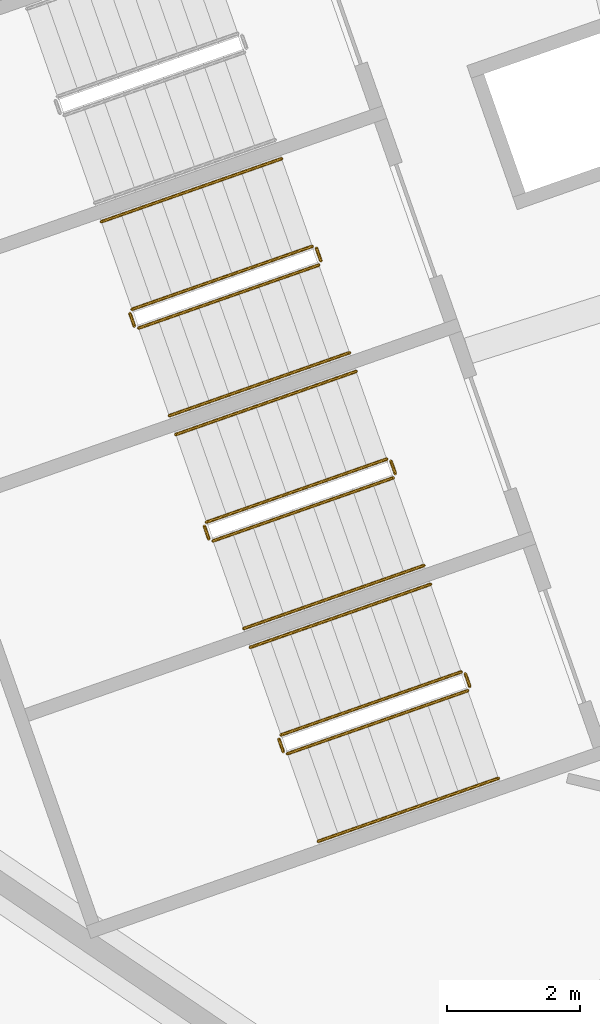
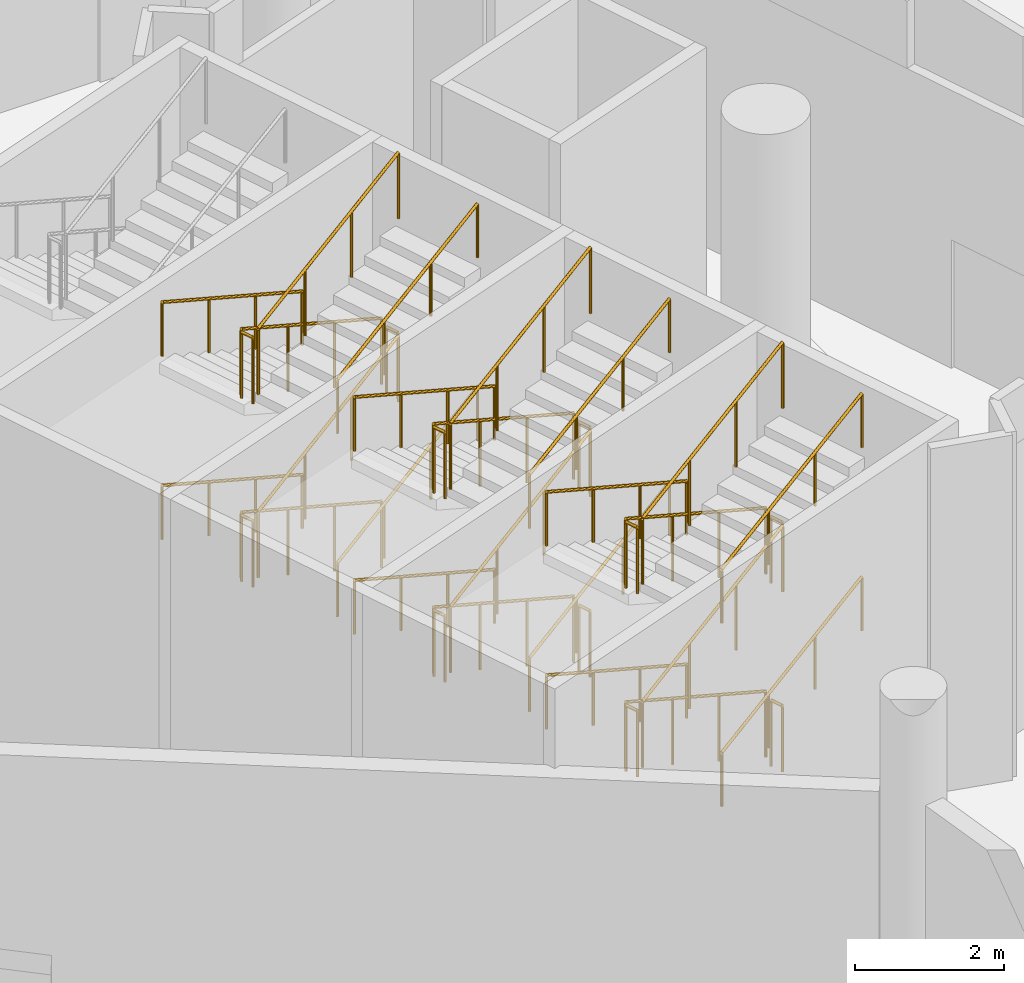
# One storey, part 201 of 249: 35 railings.
"""IFC4 building model written with IfcOpenShell, lengths in metres."""

from ifc_helpers import new_model, si_unit, direction, frame, origin, origin_2d, place, context, subcontext, project, spatial, circle, extrude, material, type_object, element, save


model = new_model("IFC4")

# Units and contexts
model_context = context("Model", 3, precision=1e-05, world=origin(), true_north=direction((0.0, 1.0)))
body_context = subcontext(model_context, "Body", "Model", "MODEL_VIEW")
ifc_project = project(units=[si_unit("LENGTHUNIT", "METRE"), si_unit("AREAUNIT", "SQUARE_METRE"), si_unit("VOLUMEUNIT", "CUBIC_METRE"), si_unit("PLANEANGLEUNIT", "RADIAN"), si_unit("MASSUNIT", "GRAM", prefix="KILO")], contexts=[model_context])

# Site, building, storey
site_placement = place(None, origin())
site = spatial("IfcSite", under=ifc_project, at=site_placement, CompositionType="ELEMENT")
building_placement = place(site_placement, origin())
building = spatial("IfcBuilding", under=site, at=building_placement, Name="Meseta Stadium", CompositionType="ELEMENT")
storey_placement = place(building_placement, frame((0.0, 0.0, 12.0)))
storey = spatial("IfcBuildingStorey", under=building, at=storey_placement, Name="L02", CompositionType="ELEMENT", Elevation=12.0)

# Railings
ifc_material_1 = material(Name="Steel S355", Category="steel")
railing_type_1 = type_object("IfcRailingType", Name="Stair guard 1100", PredefinedType="GUARDRAIL", material=ifc_material_1)
railing_1_placement = place(storey_placement, frame((-87.764404296875, -62.654052734375, 0.14990234375)))
element("IfcRailing", 1, at=railing_1_placement, inside=storey, type_object=railing_type_1, Name="ST78 L02 guard 1", PredefinedType="GUARDRAIL", context=body_context, shape_type="SweptSolid", body=[
    extrude(circle(Radius=0.02392578125, at=origin_2d()), frame((0.0, 0.0, 1.076171875), z_axis=(-0.854628651604, -0.299050945451, 0.424474262922), x_axis=(0.33028245302, -0.943882143717, 0.0)), (0.0, 0.0, 1.0), 3.1806640625),
    extrude(circle(Radius=0.02099609375, at=origin_2d()), origin(), (0.0, 0.0, 1.0), 1.052001953125),
    extrude(circle(Radius=0.02099609375, at=origin_2d()), frame((-0.906005859375, -0.317138671875, 0.449951171875)), (0.0, 0.0, 1.0), 1.052001953125),
    extrude(circle(Radius=0.02099609375, at=origin_2d()), frame((-1.812255859375, -0.634033203125, 0.900146484375)), (0.0, 0.0, 1.0), 1.052001953125),
    extrude(circle(Radius=0.02099609375, at=origin_2d()), frame((-2.71826171875, -0.951171875, 1.35009765625)), (0.0, 0.0, 1.0), 1.052001953125),
])
railing_2_placement = place(storey_placement, frame((-90.513427734375, -63.6689453125, 1.5)))
element("IfcRailing", 2, at=railing_2_placement, inside=storey, type_object=railing_type_1, Name="ST78 L02 guard 2", PredefinedType="GUARDRAIL", context=body_context, shape_type="SweptSolid", body=[
    extrude(circle(Radius=0.02392578125, at=origin_2d()), frame((0.0, 0.0, 1.076171875), z_axis=(0.330839792317, -0.943686935281, 0.0), x_axis=(0.943686935281, 0.330839792317, 0.0)), (0.0, 0.0, 1.0), 0.199951171875),
    extrude(circle(Radius=0.02099609375, at=origin_2d()), origin(), (0.0, 0.0, 1.0), 1.052001953125),
    extrude(circle(Radius=0.02099609375, at=origin_2d()), frame((0.066162109375, -0.188720703125, 0.0)), (0.0, 0.0, 1.0), 1.052001953125),
])
railing_3_placement = place(storey_placement, frame((-90.383544921875, -63.888427734375, 1.64990234375)))
element("IfcRailing", 3, at=railing_3_placement, inside=storey, type_object=railing_type_1, Name="ST78 L02 guard 3", PredefinedType="GUARDRAIL", context=body_context, shape_type="SweptSolid", body=[
    extrude(circle(Radius=0.02392578125, at=origin_2d()), frame((0.0, 0.0, 1.076171875), z_axis=(0.854628651604, 0.299050945451, 0.424474262922), x_axis=(-0.33028245302, 0.943882143717, 0.0)), (0.0, 0.0, 1.0), 3.1806640625),
    extrude(circle(Radius=0.02099609375, at=origin_2d()), origin(), (0.0, 0.0, 1.0), 1.052001953125),
    extrude(circle(Radius=0.02099609375, at=origin_2d()), frame((0.906005859375, 0.317138671875, 0.449951171875)), (0.0, 0.0, 1.0), 1.052001953125),
    extrude(circle(Radius=0.02099609375, at=origin_2d()), frame((1.812255859375, 0.634033203125, 0.900146484375)), (0.0, 0.0, 1.0), 1.052001953125),
    extrude(circle(Radius=0.02099609375, at=origin_2d()), frame((2.71826171875, 0.951171875, 1.35009765625)), (0.0, 0.0, 1.0), 1.052001953125),
])
railing_4_placement = place(storey_placement, frame((-87.70068359375, -62.6845703125, 3.0)))
element("IfcRailing", 4, at=railing_4_placement, inside=storey, type_object=railing_type_1, Name="ST78 L02 guard 4", PredefinedType="GUARDRAIL", context=body_context, shape_type="SweptSolid", body=[
    extrude(circle(Radius=0.02392578125, at=origin_2d()), frame((0.0, 0.0, 1.076171875), z_axis=(0.330459055601, -0.943820328543, 0.0), x_axis=(0.943820328543, 0.330459055601, 0.0)), (0.0, 0.0, 1.0), 0.2001953125),
    extrude(circle(Radius=0.02099609375, at=origin_2d()), origin(), (0.0, 0.0, 1.0), 1.052001953125),
    extrude(circle(Radius=0.02099609375, at=origin_2d()), frame((0.066162109375, -0.18896484375, 0.0)), (0.0, 0.0, 1.0), 1.052001953125),
])
railing_5_placement = place(storey_placement, frame((-87.764404296875, -62.654052734375, 3.14990234375)))
element("IfcRailing", 5, at=railing_5_placement, inside=storey, type_object=railing_type_1, Name="ST78 L02 guard 5", PredefinedType="GUARDRAIL", context=body_context, shape_type="SweptSolid", body=[
    extrude(circle(Radius=0.02392578125, at=origin_2d()), frame((0.0, 0.0, 1.076171875), z_axis=(-0.854628651604, -0.299050945451, 0.424474262922), x_axis=(0.33028245302, -0.943882143717, 0.0)), (0.0, 0.0, 1.0), 3.1806640625),
    extrude(circle(Radius=0.02099609375, at=origin_2d()), origin(), (0.0, 0.0, 1.0), 1.052001953125),
    extrude(circle(Radius=0.02099609375, at=origin_2d()), frame((-0.906005859375, -0.317138671875, 0.449951171875)), (0.0, 0.0, 1.0), 1.052001953125),
    extrude(circle(Radius=0.02099609375, at=origin_2d()), frame((-1.812255859375, -0.634033203125, 0.900146484375)), (0.0, 0.0, 1.0), 1.052001953125),
    extrude(circle(Radius=0.02099609375, at=origin_2d()), frame((-2.71826171875, -0.951171875, 1.35009765625)), (0.0, 0.0, 1.0), 1.052001953125),
])
railing_6_placement = place(storey_placement, frame((-90.513427734375, -63.6689453125, 4.5)))
element("IfcRailing", 6, at=railing_6_placement, inside=storey, type_object=railing_type_1, Name="ST78 L02 guard 6", PredefinedType="GUARDRAIL", context=body_context, shape_type="SweptSolid", body=[
    extrude(circle(Radius=0.02392578125, at=origin_2d()), frame((0.0, 0.0, 1.076171875), z_axis=(0.330839792317, -0.943686935281, 0.0), x_axis=(0.943686935281, 0.330839792317, 0.0)), (0.0, 0.0, 1.0), 0.199951171875),
    extrude(circle(Radius=0.02099609375, at=origin_2d()), origin(), (0.0, 0.0, 1.0), 1.052001953125),
    extrude(circle(Radius=0.02099609375, at=origin_2d()), frame((0.066162109375, -0.188720703125, 0.0)), (0.0, 0.0, 1.0), 1.052001953125),
])
railing_7_placement = place(storey_placement, frame((-90.383544921875, -63.888427734375, 4.64990234375)))
element("IfcRailing", 7, at=railing_7_placement, inside=storey, type_object=railing_type_1, Name="ST78 L02 guard 7", PredefinedType="GUARDRAIL", context=body_context, shape_type="SweptSolid", body=[
    extrude(circle(Radius=0.02392578125, at=origin_2d()), frame((0.0, 0.0, 1.076171875), z_axis=(0.854628651604, 0.299050945451, 0.424474262922), x_axis=(-0.33028245302, 0.943882143717, 0.0)), (0.0, 0.0, 1.0), 3.1806640625),
    extrude(circle(Radius=0.02099609375, at=origin_2d()), origin(), (0.0, 0.0, 1.0), 1.052001953125),
    extrude(circle(Radius=0.02099609375, at=origin_2d()), frame((0.906005859375, 0.317138671875, 0.449951171875)), (0.0, 0.0, 1.0), 1.052001953125),
    extrude(circle(Radius=0.02099609375, at=origin_2d()), frame((1.812255859375, 0.634033203125, 0.900146484375)), (0.0, 0.0, 1.0), 1.052001953125),
    extrude(circle(Radius=0.02099609375, at=origin_2d()), frame((2.71826171875, 0.951171875, 1.35009765625)), (0.0, 0.0, 1.0), 1.052001953125),
])
railing_8_placement = place(storey_placement, frame((-86.641357421875, -65.86328125, 0.14990234375)))
element("IfcRailing", 8, at=railing_8_placement, inside=storey, type_object=railing_type_1, Name="ST79 L02 guard 1", PredefinedType="GUARDRAIL", context=body_context, shape_type="SweptSolid", body=[
    extrude(circle(Radius=0.02392578125, at=origin_2d()), frame((0.0, 0.0, 1.076171875), z_axis=(-0.854649344405, -0.299031328765, 0.42444641891), x_axis=(0.330256026668, -0.943891390388, 0.0)), (0.0, 0.0, 1.0), 3.180908203125),
    extrude(circle(Radius=0.02099609375, at=origin_2d()), origin(), (0.0, 0.0, 1.0), 1.052001953125),
    extrude(circle(Radius=0.02099609375, at=origin_2d()), frame((-0.90625, -0.317138671875, 0.449951171875)), (0.0, 0.0, 1.0), 1.052001953125),
    extrude(circle(Radius=0.02099609375, at=origin_2d()), frame((-1.812255859375, -0.634033203125, 0.900146484375)), (0.0, 0.0, 1.0), 1.052001953125),
    extrude(circle(Radius=0.02099609375, at=origin_2d()), frame((-2.718505859375, -0.951171875, 1.35009765625)), (0.0, 0.0, 1.0), 1.052001953125),
])
railing_9_placement = place(storey_placement, frame((-89.390380859375, -66.878173828125, 1.5)))
element("IfcRailing", 9, at=railing_9_placement, inside=storey, type_object=railing_type_1, Name="ST79 L02 guard 2", PredefinedType="GUARDRAIL", context=body_context, shape_type="SweptSolid", body=[
    extrude(circle(Radius=0.02392578125, at=origin_2d()), frame((0.0, 0.0, 1.076171875), z_axis=(0.329751946816, -0.944067610699, 0.0), x_axis=(0.944067610699, 0.329751946816, 0.0)), (0.0, 0.0, 1.0), 0.199951171875),
    extrude(circle(Radius=0.02099609375, at=origin_2d()), origin(), (0.0, 0.0, 1.0), 1.052001953125),
    extrude(circle(Radius=0.02099609375, at=origin_2d()), frame((0.06591796875, -0.188720703125, 0.0)), (0.0, 0.0, 1.0), 1.052001953125),
])
railing_10_placement = place(storey_placement, frame((-89.2607421875, -67.09765625, 1.64990234375)))
element("IfcRailing", 10, at=railing_10_placement, inside=storey, type_object=railing_type_1, Name="ST79 L02 guard 3", PredefinedType="GUARDRAIL", context=body_context, shape_type="SweptSolid", body=[
    extrude(circle(Radius=0.02392578125, at=origin_2d()), frame((0.0, 0.0, 1.076171875), z_axis=(0.854629726927, 0.29910121651, 0.424436676238), x_axis=(-0.330331545909, 0.943864963741, 0.0)), (0.0, 0.0, 1.0), 3.180908203125),
    extrude(circle(Radius=0.02099609375, at=origin_2d()), origin(), (0.0, 0.0, 1.0), 1.052001953125),
    extrude(circle(Radius=0.02099609375, at=origin_2d()), frame((0.90625, 0.317138671875, 0.449951171875)), (0.0, 0.0, 1.0), 1.052001953125),
    extrude(circle(Radius=0.02099609375, at=origin_2d()), frame((1.812255859375, 0.63427734375, 0.900146484375)), (0.0, 0.0, 1.0), 1.052001953125),
    extrude(circle(Radius=0.02099609375, at=origin_2d()), frame((2.718505859375, 0.951416015625, 1.35009765625)), (0.0, 0.0, 1.0), 1.052001953125),
])
railing_11_placement = place(storey_placement, frame((-86.57763671875, -65.893798828125, 3.0)))
element("IfcRailing", 11, at=railing_11_placement, inside=storey, type_object=railing_type_1, Name="ST79 L02 guard 4", PredefinedType="GUARDRAIL", context=body_context, shape_type="SweptSolid", body=[
    extrude(circle(Radius=0.02392578125, at=origin_2d()), frame((0.0, 0.0, 1.076171875), z_axis=(0.329372156318, -0.944200181446, 0.0), x_axis=(0.944200181446, 0.329372156318, 0.0)), (0.0, 0.0, 1.0), 0.2001953125),
    extrude(circle(Radius=0.02099609375, at=origin_2d()), origin(), (0.0, 0.0, 1.0), 1.052001953125),
    extrude(circle(Radius=0.02099609375, at=origin_2d()), frame((0.06591796875, -0.18896484375, 0.0)), (0.0, 0.0, 1.0), 1.052001953125),
])
railing_12_placement = place(storey_placement, frame((-86.641357421875, -65.86328125, 3.14990234375)))
element("IfcRailing", 12, at=railing_12_placement, inside=storey, type_object=railing_type_1, Name="ST79 L02 guard 5", PredefinedType="GUARDRAIL", context=body_context, shape_type="SweptSolid", body=[
    extrude(circle(Radius=0.02392578125, at=origin_2d()), frame((0.0, 0.0, 1.076171875), z_axis=(-0.854649344405, -0.299031328765, 0.42444641891), x_axis=(0.330256026668, -0.943891390388, 0.0)), (0.0, 0.0, 1.0), 3.180908203125),
    extrude(circle(Radius=0.02099609375, at=origin_2d()), origin(), (0.0, 0.0, 1.0), 1.052001953125),
    extrude(circle(Radius=0.02099609375, at=origin_2d()), frame((-0.90625, -0.317138671875, 0.449951171875)), (0.0, 0.0, 1.0), 1.052001953125),
    extrude(circle(Radius=0.02099609375, at=origin_2d()), frame((-1.812255859375, -0.634033203125, 0.900146484375)), (0.0, 0.0, 1.0), 1.052001953125),
    extrude(circle(Radius=0.02099609375, at=origin_2d()), frame((-2.718505859375, -0.951171875, 1.35009765625)), (0.0, 0.0, 1.0), 1.052001953125),
])
railing_13_placement = place(storey_placement, frame((-89.390380859375, -66.878173828125, 4.5)))
element("IfcRailing", 13, at=railing_13_placement, inside=storey, type_object=railing_type_1, Name="ST79 L02 guard 6", PredefinedType="GUARDRAIL", context=body_context, shape_type="SweptSolid", body=[
    extrude(circle(Radius=0.02392578125, at=origin_2d()), frame((0.0, 0.0, 1.076171875), z_axis=(0.329751946816, -0.944067610699, 0.0), x_axis=(0.944067610699, 0.329751946816, 0.0)), (0.0, 0.0, 1.0), 0.199951171875),
    extrude(circle(Radius=0.02099609375, at=origin_2d()), origin(), (0.0, 0.0, 1.0), 1.052001953125),
    extrude(circle(Radius=0.02099609375, at=origin_2d()), frame((0.06591796875, -0.188720703125, 0.0)), (0.0, 0.0, 1.0), 1.052001953125),
])
railing_14_placement = place(storey_placement, frame((-89.2607421875, -67.09765625, 4.64990234375)))
element("IfcRailing", 14, at=railing_14_placement, inside=storey, type_object=railing_type_1, Name="ST79 L02 guard 7", PredefinedType="GUARDRAIL", context=body_context, shape_type="SweptSolid", body=[
    extrude(circle(Radius=0.02392578125, at=origin_2d()), frame((0.0, 0.0, 1.076171875), z_axis=(0.854629726927, 0.29910121651, 0.424436676238), x_axis=(-0.330331545909, 0.943864963741, 0.0)), (0.0, 0.0, 1.0), 3.180908203125),
    extrude(circle(Radius=0.02099609375, at=origin_2d()), origin(), (0.0, 0.0, 1.0), 1.052001953125),
    extrude(circle(Radius=0.02099609375, at=origin_2d()), frame((0.90625, 0.317138671875, 0.449951171875)), (0.0, 0.0, 1.0), 1.052001953125),
    extrude(circle(Radius=0.02099609375, at=origin_2d()), frame((1.812255859375, 0.63427734375, 0.900146484375)), (0.0, 0.0, 1.0), 1.052001953125),
    extrude(circle(Radius=0.02099609375, at=origin_2d()), frame((2.718505859375, 0.951416015625, 1.35009765625)), (0.0, 0.0, 1.0), 1.052001953125),
])
railing_15_placement = place(storey_placement, frame((-86.57763671875, -65.893798828125, 0.0)))
element("IfcRailing", 15, at=railing_15_placement, inside=storey, type_object=railing_type_1, Name="ST79 L02 guard 8", PredefinedType="GUARDRAIL", context=body_context, shape_type="SweptSolid", body=[
    extrude(circle(Radius=0.02392578125, at=origin_2d()), frame((0.0, 0.0, 1.076171875), z_axis=(0.329372156318, -0.944200181446, 0.0), x_axis=(0.944200181446, 0.329372156318, 0.0)), (0.0, 0.0, 1.0), 0.2001953125),
    extrude(circle(Radius=0.02099609375, at=origin_2d()), origin(), (0.0, 0.0, 1.0), 1.052001953125),
    extrude(circle(Radius=0.02099609375, at=origin_2d()), frame((0.06591796875, -0.18896484375, 0.0)), (0.0, 0.0, 1.0), 1.052001953125),
])
railing_16_placement = place(storey_placement, frame((-85.518310546875, -69.072509765625, 0.14990234375)))
element("IfcRailing", 16, at=railing_16_placement, inside=storey, type_object=railing_type_1, Name="ST80 L02 guard 1", PredefinedType="GUARDRAIL", context=body_context, shape_type="SweptSolid", body=[
    extrude(circle(Radius=0.02392578125, at=origin_2d()), frame((0.0, 0.0, 1.076171875), z_axis=(-0.854649344405, -0.299031328765, 0.42444641891), x_axis=(0.330256026668, -0.943891390388, 0.0)), (0.0, 0.0, 1.0), 3.180908203125),
    extrude(circle(Radius=0.02099609375, at=origin_2d()), origin(), (0.0, 0.0, 1.0), 1.052001953125),
    extrude(circle(Radius=0.02099609375, at=origin_2d()), frame((-0.90625, -0.317138671875, 0.449951171875)), (0.0, 0.0, 1.0), 1.052001953125),
    extrude(circle(Radius=0.02099609375, at=origin_2d()), frame((-1.812255859375, -0.634033203125, 0.900146484375)), (0.0, 0.0, 1.0), 1.052001953125),
    extrude(circle(Radius=0.02099609375, at=origin_2d()), frame((-2.718505859375, -0.951171875, 1.35009765625)), (0.0, 0.0, 1.0), 1.052001953125),
])
railing_17_placement = place(storey_placement, frame((-88.267578125, -70.08740234375, 1.5)))
element("IfcRailing", 17, at=railing_17_placement, inside=storey, type_object=railing_type_1, Name="ST80 L02 guard 2", PredefinedType="GUARDRAIL", context=body_context, shape_type="SweptSolid", body=[
    extrude(circle(Radius=0.02392578125, at=origin_2d()), frame((0.0, 0.0, 1.076171875), z_axis=(0.330839792317, -0.943686935281, 0.0), x_axis=(0.943686935281, 0.330839792317, 0.0)), (0.0, 0.0, 1.0), 0.199951171875),
    extrude(circle(Radius=0.02099609375, at=origin_2d()), origin(), (0.0, 0.0, 1.0), 1.052001953125),
    extrude(circle(Radius=0.02099609375, at=origin_2d()), frame((0.066162109375, -0.188720703125, 0.0)), (0.0, 0.0, 1.0), 1.052001953125),
])
railing_18_placement = place(storey_placement, frame((-88.1376953125, -70.306640625, 1.64990234375)))
element("IfcRailing", 18, at=railing_18_placement, inside=storey, type_object=railing_type_1, Name="ST80 L02 guard 3", PredefinedType="GUARDRAIL", context=body_context, shape_type="SweptSolid", body=[
    extrude(circle(Radius=0.02392578125, at=origin_2d()), frame((0.0, 0.0, 1.076171875), z_axis=(0.854628651604, 0.299050945451, 0.424474262922), x_axis=(-0.33028245302, 0.943882143717, 0.0)), (0.0, 0.0, 1.0), 3.1806640625),
    extrude(circle(Radius=0.02099609375, at=origin_2d()), origin(), (0.0, 0.0, 1.0), 1.052001953125),
    extrude(circle(Radius=0.02099609375, at=origin_2d()), frame((0.906005859375, 0.317138671875, 0.449951171875)), (0.0, 0.0, 1.0), 1.052001953125),
    extrude(circle(Radius=0.02099609375, at=origin_2d()), frame((1.812255859375, 0.634033203125, 0.900146484375)), (0.0, 0.0, 1.0), 1.052001953125),
    extrude(circle(Radius=0.02099609375, at=origin_2d()), frame((2.71826171875, 0.951171875, 1.35009765625)), (0.0, 0.0, 1.0), 1.052001953125),
])
railing_19_placement = place(storey_placement, frame((-85.454833984375, -69.10302734375, 3.0)))
element("IfcRailing", 19, at=railing_19_placement, inside=storey, type_object=railing_type_1, Name="ST80 L02 guard 4", PredefinedType="GUARDRAIL", context=body_context, shape_type="SweptSolid", body=[
    extrude(circle(Radius=0.02392578125, at=origin_2d()), frame((0.0, 0.0, 1.076171875), z_axis=(0.330839792317, -0.943686935281, 0.0), x_axis=(0.943686935281, 0.330839792317, 0.0)), (0.0, 0.0, 1.0), 0.199951171875),
    extrude(circle(Radius=0.02099609375, at=origin_2d()), origin(), (0.0, 0.0, 1.0), 1.052001953125),
    extrude(circle(Radius=0.02099609375, at=origin_2d()), frame((0.066162109375, -0.188720703125, 0.0)), (0.0, 0.0, 1.0), 1.052001953125),
])
railing_20_placement = place(storey_placement, frame((-85.518310546875, -69.072509765625, 3.14990234375)))
element("IfcRailing", 20, at=railing_20_placement, inside=storey, type_object=railing_type_1, Name="ST80 L02 guard 5", PredefinedType="GUARDRAIL", context=body_context, shape_type="SweptSolid", body=[
    extrude(circle(Radius=0.02392578125, at=origin_2d()), frame((0.0, 0.0, 1.076171875), z_axis=(-0.854649344405, -0.299031328765, 0.42444641891), x_axis=(0.330256026668, -0.943891390388, 0.0)), (0.0, 0.0, 1.0), 3.180908203125),
    extrude(circle(Radius=0.02099609375, at=origin_2d()), origin(), (0.0, 0.0, 1.0), 1.052001953125),
    extrude(circle(Radius=0.02099609375, at=origin_2d()), frame((-0.90625, -0.317138671875, 0.449951171875)), (0.0, 0.0, 1.0), 1.052001953125),
    extrude(circle(Radius=0.02099609375, at=origin_2d()), frame((-1.812255859375, -0.634033203125, 0.900146484375)), (0.0, 0.0, 1.0), 1.052001953125),
    extrude(circle(Radius=0.02099609375, at=origin_2d()), frame((-2.718505859375, -0.951171875, 1.35009765625)), (0.0, 0.0, 1.0), 1.052001953125),
])
railing_21_placement = place(storey_placement, frame((-88.267578125, -70.08740234375, 4.5)))
element("IfcRailing", 21, at=railing_21_placement, inside=storey, type_object=railing_type_1, Name="ST80 L02 guard 6", PredefinedType="GUARDRAIL", context=body_context, shape_type="SweptSolid", body=[
    extrude(circle(Radius=0.02392578125, at=origin_2d()), frame((0.0, 0.0, 1.076171875), z_axis=(0.330839792317, -0.943686935281, 0.0), x_axis=(0.943686935281, 0.330839792317, 0.0)), (0.0, 0.0, 1.0), 0.199951171875),
    extrude(circle(Radius=0.02099609375, at=origin_2d()), origin(), (0.0, 0.0, 1.0), 1.052001953125),
    extrude(circle(Radius=0.02099609375, at=origin_2d()), frame((0.066162109375, -0.188720703125, 0.0)), (0.0, 0.0, 1.0), 1.052001953125),
])
railing_22_placement = place(storey_placement, frame((-88.1376953125, -70.306640625, 4.64990234375)))
element("IfcRailing", 22, at=railing_22_placement, inside=storey, type_object=railing_type_1, Name="ST80 L02 guard 7", PredefinedType="GUARDRAIL", context=body_context, shape_type="SweptSolid", body=[
    extrude(circle(Radius=0.02392578125, at=origin_2d()), frame((0.0, 0.0, 1.076171875), z_axis=(0.854628651604, 0.299050945451, 0.424474262922), x_axis=(-0.33028245302, 0.943882143717, 0.0)), (0.0, 0.0, 1.0), 3.1806640625),
    extrude(circle(Radius=0.02099609375, at=origin_2d()), origin(), (0.0, 0.0, 1.0), 1.052001953125),
    extrude(circle(Radius=0.02099609375, at=origin_2d()), frame((0.906005859375, 0.317138671875, 0.449951171875)), (0.0, 0.0, 1.0), 1.052001953125),
    extrude(circle(Radius=0.02099609375, at=origin_2d()), frame((1.812255859375, 0.634033203125, 0.900146484375)), (0.0, 0.0, 1.0), 1.052001953125),
    extrude(circle(Radius=0.02099609375, at=origin_2d()), frame((2.71826171875, 0.951171875, 1.35009765625)), (0.0, 0.0, 1.0), 1.052001953125),
])
railing_23_placement = place(storey_placement, frame((-85.454833984375, -69.10302734375, 0.0)))
element("IfcRailing", 23, at=railing_23_placement, inside=storey, type_object=railing_type_1, Name="ST80 L02 guard 8", PredefinedType="GUARDRAIL", context=body_context, shape_type="SweptSolid", body=[
    extrude(circle(Radius=0.02392578125, at=origin_2d()), frame((0.0, 0.0, 1.076171875), z_axis=(0.330839792317, -0.943686935281, 0.0), x_axis=(0.943686935281, 0.330839792317, 0.0)), (0.0, 0.0, 1.0), 0.199951171875),
    extrude(circle(Radius=0.02099609375, at=origin_2d()), origin(), (0.0, 0.0, 1.0), 1.052001953125),
    extrude(circle(Radius=0.02099609375, at=origin_2d()), frame((0.066162109375, -0.188720703125, 0.0)), (0.0, 0.0, 1.0), 1.052001953125),
])
ifc_material_2 = material(Name="Steel S355", Category="steel")
railing_type_2 = type_object("IfcRailingType", Name="Stair handrail 900", PredefinedType="HANDRAIL", material=ifc_material_2)
railing_24_placement = place(storey_placement, frame((-88.226806640625, -61.33251953125, 0.14990234375)))
element("IfcRailing", 24, at=railing_24_placement, inside=storey, type_object=railing_type_2, Name="ST78 L02 handrail 1", PredefinedType="HANDRAIL", context=body_context, shape_type="SweptSolid", body=[
    extrude(circle(Radius=0.02392578125, at=origin_2d()), frame((0.0, 0.0, 0.8759765625), z_axis=(-0.854628651604, -0.299050945451, 0.424474262922), x_axis=(0.33028245302, -0.943882143717, 0.0)), (0.0, 0.0, 1.0), 3.1806640625),
    extrude(circle(Radius=0.02099609375, at=origin_2d()), origin(), (0.0, 0.0, 1.0), 0.851806640625),
    extrude(circle(Radius=0.02099609375, at=origin_2d()), frame((-0.906005859375, -0.317138671875, 0.449951171875)), (0.0, 0.0, 1.0), 0.851806640625),
    extrude(circle(Radius=0.02099609375, at=origin_2d()), frame((-1.812255859375, -0.634033203125, 0.900146484375)), (0.0, 0.0, 1.0), 0.851806640625),
    extrude(circle(Radius=0.02099609375, at=origin_2d()), frame((-2.71826171875, -0.951171875, 1.35009765625)), (0.0, 0.0, 1.0), 0.851806640625),
])
railing_25_placement = place(storey_placement, frame((-89.921142578125, -65.209716796875, 1.64990234375)))
element("IfcRailing", 25, at=railing_25_placement, inside=storey, type_object=railing_type_2, Name="ST78 L02 handrail 2", PredefinedType="HANDRAIL", context=body_context, shape_type="SweptSolid", body=[
    extrude(circle(Radius=0.02392578125, at=origin_2d()), frame((0.0, 0.0, 0.8759765625), z_axis=(0.854628651604, 0.299050945451, 0.424474262922), x_axis=(-0.33028245302, 0.943882143717, 0.0)), (0.0, 0.0, 1.0), 3.1806640625),
    extrude(circle(Radius=0.02099609375, at=origin_2d()), origin(), (0.0, 0.0, 1.0), 0.851806640625),
    extrude(circle(Radius=0.02099609375, at=origin_2d()), frame((0.906005859375, 0.317138671875, 0.449951171875)), (0.0, 0.0, 1.0), 0.851806640625),
    extrude(circle(Radius=0.02099609375, at=origin_2d()), frame((1.812255859375, 0.634033203125, 0.900146484375)), (0.0, 0.0, 1.0), 0.851806640625),
    extrude(circle(Radius=0.02099609375, at=origin_2d()), frame((2.71826171875, 0.951171875, 1.35009765625)), (0.0, 0.0, 1.0), 0.851806640625),
])
railing_26_placement = place(storey_placement, frame((-88.226806640625, -61.33251953125, 3.14990234375)))
element("IfcRailing", 26, at=railing_26_placement, inside=storey, type_object=railing_type_2, Name="ST78 L02 handrail 3", PredefinedType="HANDRAIL", context=body_context, shape_type="SweptSolid", body=[
    extrude(circle(Radius=0.02392578125, at=origin_2d()), frame((0.0, 0.0, 0.8759765625), z_axis=(-0.854628651604, -0.299050945451, 0.424474262922), x_axis=(0.33028245302, -0.943882143717, 0.0)), (0.0, 0.0, 1.0), 3.1806640625),
    extrude(circle(Radius=0.02099609375, at=origin_2d()), origin(), (0.0, 0.0, 1.0), 0.851806640625),
    extrude(circle(Radius=0.02099609375, at=origin_2d()), frame((-0.906005859375, -0.317138671875, 0.449951171875)), (0.0, 0.0, 1.0), 0.851806640625),
    extrude(circle(Radius=0.02099609375, at=origin_2d()), frame((-1.812255859375, -0.634033203125, 0.900146484375)), (0.0, 0.0, 1.0), 0.851806640625),
    extrude(circle(Radius=0.02099609375, at=origin_2d()), frame((-2.71826171875, -0.951171875, 1.35009765625)), (0.0, 0.0, 1.0), 0.851806640625),
])
railing_27_placement = place(storey_placement, frame((-89.921142578125, -65.209716796875, 4.64990234375)))
element("IfcRailing", 27, at=railing_27_placement, inside=storey, type_object=railing_type_2, Name="ST78 L02 handrail 4", PredefinedType="HANDRAIL", context=body_context, shape_type="SweptSolid", body=[
    extrude(circle(Radius=0.02392578125, at=origin_2d()), frame((0.0, 0.0, 0.8759765625), z_axis=(0.854628651604, 0.299050945451, 0.424474262922), x_axis=(-0.33028245302, 0.943882143717, 0.0)), (0.0, 0.0, 1.0), 3.1806640625),
    extrude(circle(Radius=0.02099609375, at=origin_2d()), origin(), (0.0, 0.0, 1.0), 0.851806640625),
    extrude(circle(Radius=0.02099609375, at=origin_2d()), frame((0.906005859375, 0.317138671875, 0.449951171875)), (0.0, 0.0, 1.0), 0.851806640625),
    extrude(circle(Radius=0.02099609375, at=origin_2d()), frame((1.812255859375, 0.634033203125, 0.900146484375)), (0.0, 0.0, 1.0), 0.851806640625),
    extrude(circle(Radius=0.02099609375, at=origin_2d()), frame((2.71826171875, 0.951171875, 1.35009765625)), (0.0, 0.0, 1.0), 0.851806640625),
])
railing_28_placement = place(storey_placement, frame((-87.103759765625, -64.541748046875, 0.14990234375)))
element("IfcRailing", 28, at=railing_28_placement, inside=storey, type_object=railing_type_2, Name="ST79 L02 handrail 1", PredefinedType="HANDRAIL", context=body_context, shape_type="SweptSolid", body=[
    extrude(circle(Radius=0.02392578125, at=origin_2d()), frame((0.0, 0.0, 0.8759765625), z_axis=(-0.854649344405, -0.299031328765, 0.42444641891), x_axis=(0.330256026668, -0.943891390388, 0.0)), (0.0, 0.0, 1.0), 3.180908203125),
    extrude(circle(Radius=0.02099609375, at=origin_2d()), origin(), (0.0, 0.0, 1.0), 0.851806640625),
    extrude(circle(Radius=0.02099609375, at=origin_2d()), frame((-0.90625, -0.317138671875, 0.449951171875)), (0.0, 0.0, 1.0), 0.851806640625),
    extrude(circle(Radius=0.02099609375, at=origin_2d()), frame((-1.812255859375, -0.634033203125, 0.900146484375)), (0.0, 0.0, 1.0), 0.851806640625),
    extrude(circle(Radius=0.02099609375, at=origin_2d()), frame((-2.718505859375, -0.951171875, 1.35009765625)), (0.0, 0.0, 1.0), 0.851806640625),
])
railing_29_placement = place(storey_placement, frame((-88.79833984375, -68.4189453125, 1.64990234375)))
element("IfcRailing", 29, at=railing_29_placement, inside=storey, type_object=railing_type_2, Name="ST79 L02 handrail 2", PredefinedType="HANDRAIL", context=body_context, shape_type="SweptSolid", body=[
    extrude(circle(Radius=0.02392578125, at=origin_2d()), frame((0.0, 0.0, 0.8759765625), z_axis=(0.854649344405, 0.299031328765, 0.42444641891), x_axis=(-0.330256026668, 0.943891390388, 0.0)), (0.0, 0.0, 1.0), 3.180908203125),
    extrude(circle(Radius=0.02099609375, at=origin_2d()), origin(), (0.0, 0.0, 1.0), 0.851806640625),
    extrude(circle(Radius=0.02099609375, at=origin_2d()), frame((0.90625, 0.317138671875, 0.449951171875)), (0.0, 0.0, 1.0), 0.851806640625),
    extrude(circle(Radius=0.02099609375, at=origin_2d()), frame((1.812255859375, 0.634033203125, 0.900146484375)), (0.0, 0.0, 1.0), 0.851806640625),
    extrude(circle(Radius=0.02099609375, at=origin_2d()), frame((2.718505859375, 0.951171875, 1.35009765625)), (0.0, 0.0, 1.0), 0.851806640625),
])
railing_30_placement = place(storey_placement, frame((-87.103759765625, -64.541748046875, 3.14990234375)))
element("IfcRailing", 30, at=railing_30_placement, inside=storey, type_object=railing_type_2, Name="ST79 L02 handrail 3", PredefinedType="HANDRAIL", context=body_context, shape_type="SweptSolid", body=[
    extrude(circle(Radius=0.02392578125, at=origin_2d()), frame((0.0, 0.0, 0.8759765625), z_axis=(-0.854649344405, -0.299031328765, 0.42444641891), x_axis=(0.330256026668, -0.943891390388, 0.0)), (0.0, 0.0, 1.0), 3.180908203125),
    extrude(circle(Radius=0.02099609375, at=origin_2d()), origin(), (0.0, 0.0, 1.0), 0.851806640625),
    extrude(circle(Radius=0.02099609375, at=origin_2d()), frame((-0.90625, -0.317138671875, 0.449951171875)), (0.0, 0.0, 1.0), 0.851806640625),
    extrude(circle(Radius=0.02099609375, at=origin_2d()), frame((-1.812255859375, -0.634033203125, 0.900146484375)), (0.0, 0.0, 1.0), 0.851806640625),
    extrude(circle(Radius=0.02099609375, at=origin_2d()), frame((-2.718505859375, -0.951171875, 1.35009765625)), (0.0, 0.0, 1.0), 0.851806640625),
])
railing_31_placement = place(storey_placement, frame((-88.79833984375, -68.4189453125, 4.64990234375)))
element("IfcRailing", 31, at=railing_31_placement, inside=storey, type_object=railing_type_2, Name="ST79 L02 handrail 4", PredefinedType="HANDRAIL", context=body_context, shape_type="SweptSolid", body=[
    extrude(circle(Radius=0.02392578125, at=origin_2d()), frame((0.0, 0.0, 0.8759765625), z_axis=(0.854649344405, 0.299031328765, 0.42444641891), x_axis=(-0.330256026668, 0.943891390388, 0.0)), (0.0, 0.0, 1.0), 3.180908203125),
    extrude(circle(Radius=0.02099609375, at=origin_2d()), origin(), (0.0, 0.0, 1.0), 0.851806640625),
    extrude(circle(Radius=0.02099609375, at=origin_2d()), frame((0.90625, 0.317138671875, 0.449951171875)), (0.0, 0.0, 1.0), 0.851806640625),
    extrude(circle(Radius=0.02099609375, at=origin_2d()), frame((1.812255859375, 0.634033203125, 0.900146484375)), (0.0, 0.0, 1.0), 0.851806640625),
    extrude(circle(Radius=0.02099609375, at=origin_2d()), frame((2.718505859375, 0.951171875, 1.35009765625)), (0.0, 0.0, 1.0), 0.851806640625),
])
railing_32_placement = place(storey_placement, frame((-85.980712890625, -67.7509765625, 0.14990234375)))
element("IfcRailing", 32, at=railing_32_placement, inside=storey, type_object=railing_type_2, Name="ST80 L02 handrail 1", PredefinedType="HANDRAIL", context=body_context, shape_type="SweptSolid", body=[
    extrude(circle(Radius=0.02392578125, at=origin_2d()), frame((0.0, 0.0, 0.8759765625), z_axis=(-0.854649344405, -0.299031328765, 0.42444641891), x_axis=(0.330256026668, -0.943891390388, 0.0)), (0.0, 0.0, 1.0), 3.180908203125),
    extrude(circle(Radius=0.02099609375, at=origin_2d()), origin(), (0.0, 0.0, 1.0), 0.851806640625),
    extrude(circle(Radius=0.02099609375, at=origin_2d()), frame((-0.90625, -0.317138671875, 0.449951171875)), (0.0, 0.0, 1.0), 0.851806640625),
    extrude(circle(Radius=0.02099609375, at=origin_2d()), frame((-1.812255859375, -0.634033203125, 0.900146484375)), (0.0, 0.0, 1.0), 0.851806640625),
    extrude(circle(Radius=0.02099609375, at=origin_2d()), frame((-2.718505859375, -0.951171875, 1.35009765625)), (0.0, 0.0, 1.0), 0.851806640625),
])
railing_33_placement = place(storey_placement, frame((-87.67529296875, -71.628173828125, 1.64990234375)))
element("IfcRailing", 33, at=railing_33_placement, inside=storey, type_object=railing_type_2, Name="ST80 L02 handrail 2", PredefinedType="HANDRAIL", context=body_context, shape_type="SweptSolid", body=[
    extrude(circle(Radius=0.02392578125, at=origin_2d()), frame((0.0, 0.0, 0.8759765625), z_axis=(0.854628651604, 0.299050945451, 0.424474262922), x_axis=(-0.33028245302, 0.943882143717, 0.0)), (0.0, 0.0, 1.0), 3.1806640625),
    extrude(circle(Radius=0.02099609375, at=origin_2d()), origin(), (0.0, 0.0, 1.0), 0.851806640625),
    extrude(circle(Radius=0.02099609375, at=origin_2d()), frame((0.906005859375, 0.317138671875, 0.449951171875)), (0.0, 0.0, 1.0), 0.851806640625),
    extrude(circle(Radius=0.02099609375, at=origin_2d()), frame((1.812255859375, 0.634033203125, 0.900146484375)), (0.0, 0.0, 1.0), 0.851806640625),
    extrude(circle(Radius=0.02099609375, at=origin_2d()), frame((2.71826171875, 0.951171875, 1.35009765625)), (0.0, 0.0, 1.0), 0.851806640625),
])
railing_34_placement = place(storey_placement, frame((-85.980712890625, -67.7509765625, 3.14990234375)))
element("IfcRailing", 34, at=railing_34_placement, inside=storey, type_object=railing_type_2, Name="ST80 L02 handrail 3", PredefinedType="HANDRAIL", context=body_context, shape_type="SweptSolid", body=[
    extrude(circle(Radius=0.02392578125, at=origin_2d()), frame((0.0, 0.0, 0.8759765625), z_axis=(-0.854649344405, -0.299031328765, 0.42444641891), x_axis=(0.330256026668, -0.943891390388, 0.0)), (0.0, 0.0, 1.0), 3.180908203125),
    extrude(circle(Radius=0.02099609375, at=origin_2d()), origin(), (0.0, 0.0, 1.0), 0.851806640625),
    extrude(circle(Radius=0.02099609375, at=origin_2d()), frame((-0.90625, -0.317138671875, 0.449951171875)), (0.0, 0.0, 1.0), 0.851806640625),
    extrude(circle(Radius=0.02099609375, at=origin_2d()), frame((-1.812255859375, -0.634033203125, 0.900146484375)), (0.0, 0.0, 1.0), 0.851806640625),
    extrude(circle(Radius=0.02099609375, at=origin_2d()), frame((-2.718505859375, -0.951171875, 1.35009765625)), (0.0, 0.0, 1.0), 0.851806640625),
])
railing_35_placement = place(storey_placement, frame((-87.67529296875, -71.628173828125, 4.64990234375)))
element("IfcRailing", 35, at=railing_35_placement, inside=storey, type_object=railing_type_2, Name="ST80 L02 handrail 4", PredefinedType="HANDRAIL", context=body_context, shape_type="SweptSolid", body=[
    extrude(circle(Radius=0.02392578125, at=origin_2d()), frame((0.0, 0.0, 0.8759765625), z_axis=(0.854628651604, 0.299050945451, 0.424474262922), x_axis=(-0.33028245302, 0.943882143717, 0.0)), (0.0, 0.0, 1.0), 3.1806640625),
    extrude(circle(Radius=0.02099609375, at=origin_2d()), origin(), (0.0, 0.0, 1.0), 0.851806640625),
    extrude(circle(Radius=0.02099609375, at=origin_2d()), frame((0.906005859375, 0.317138671875, 0.449951171875)), (0.0, 0.0, 1.0), 0.851806640625),
    extrude(circle(Radius=0.02099609375, at=origin_2d()), frame((1.812255859375, 0.634033203125, 0.900146484375)), (0.0, 0.0, 1.0), 0.851806640625),
    extrude(circle(Radius=0.02099609375, at=origin_2d()), frame((2.71826171875, 0.951171875, 1.35009765625)), (0.0, 0.0, 1.0), 0.851806640625),
])

save(model, "model.ifc")
